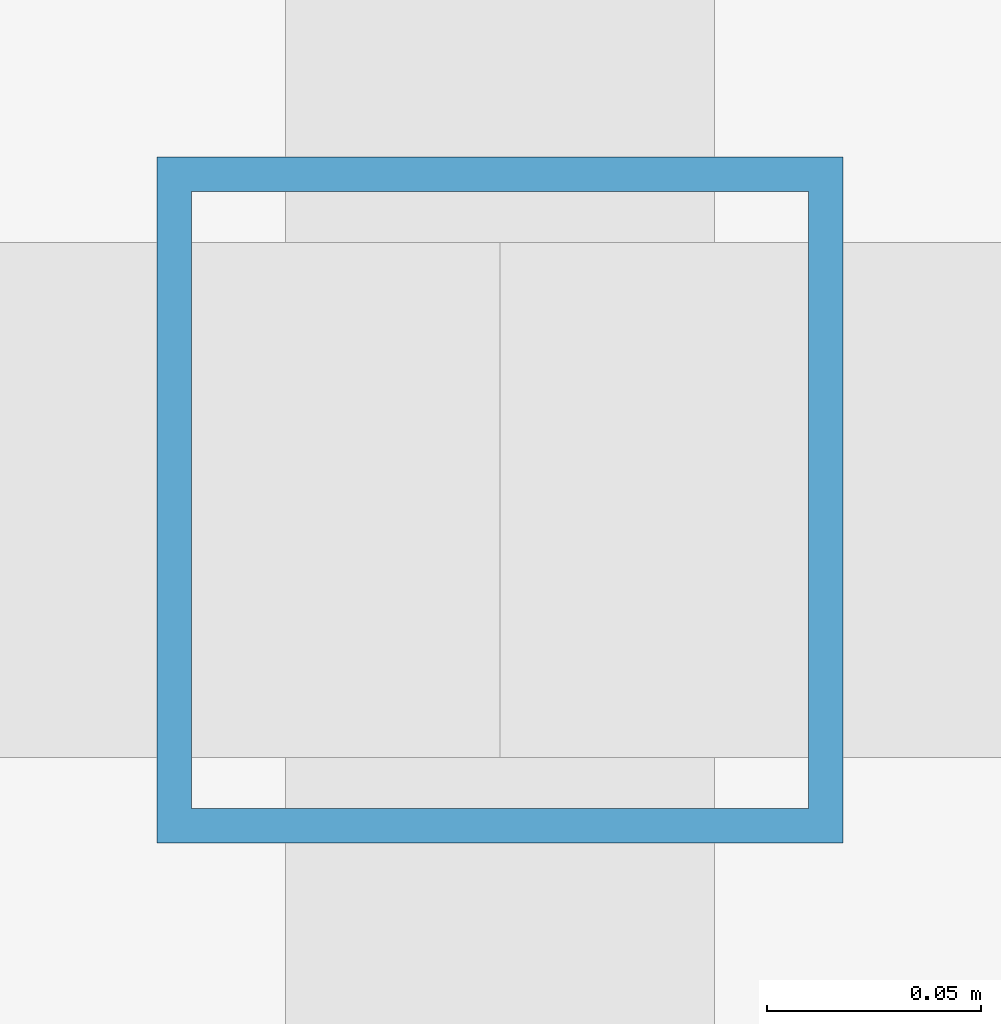
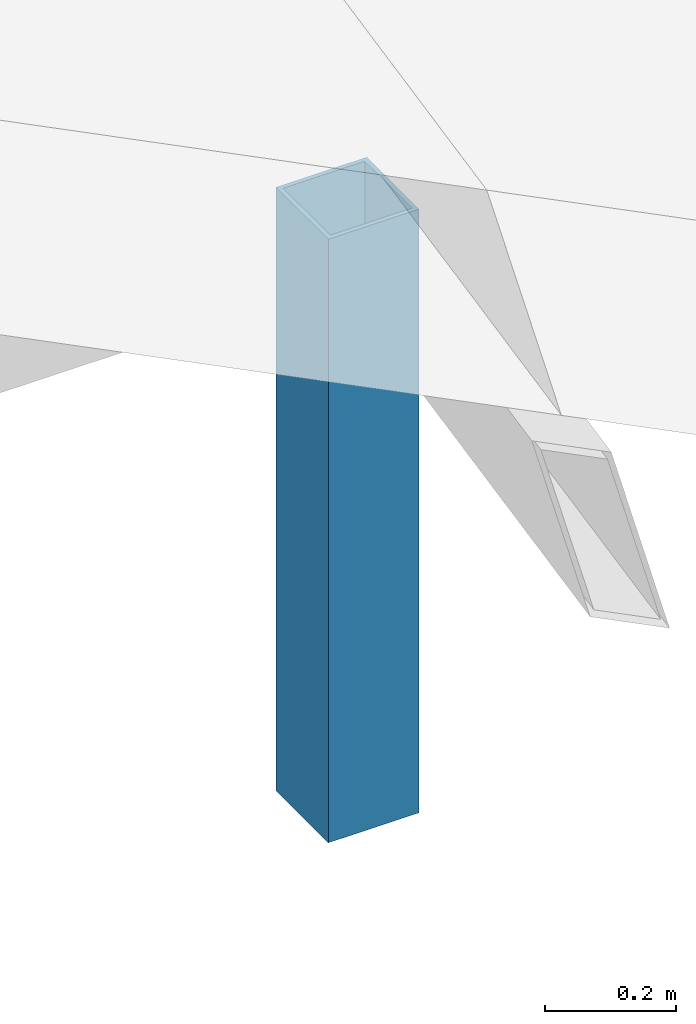
# One storey, part 5 of 93: 1 column.
"""IFC4 building model written with IfcOpenShell, lengths in metres."""

from ifc_helpers import new_model, si_unit, direction, frame, origin, origin_2d, place, context, subcontext, project, spatial, hollow_rectangle, extrude, material, material_profile, profile_set, type_object, element, save


model = new_model("IFC4")

# Units and contexts
model_context = context("Model", 3, precision=1e-05, world=origin(), true_north=direction((0.0, 1.0)))
body_context = subcontext(model_context, "Body", "Model", "MODEL_VIEW")
ifc_project = project(units=[si_unit("LENGTHUNIT", "METRE"), si_unit("AREAUNIT", "SQUARE_METRE"), si_unit("VOLUMEUNIT", "CUBIC_METRE"), si_unit("PLANEANGLEUNIT", "RADIAN"), si_unit("MASSUNIT", "GRAM", prefix="KILO")], contexts=[model_context])

# Site, building, storey
site_placement = place(None, origin())
site = spatial("IfcSite", under=ifc_project, at=site_placement, CompositionType="ELEMENT")
building_placement = place(site_placement, origin())
building = spatial("IfcBuilding", under=site, at=building_placement, Name="Vourika Railside Aquatics Centre", CompositionType="ELEMENT")
storey_placement = place(building_placement, frame((0.0, 0.0, 21.89990234375)))
storey = spatial("IfcBuildingStorey", under=building, at=storey_placement, Name="Roof", CompositionType="ELEMENT", Elevation=21.89990234375)

# Column
ifc_material = material(Name="Steel S355J2", Category="steel")
ifc_material_profile = material_profile(ifc_material, hollow_rectangle(XDim=0.159912109375, YDim=0.159912109375, WallThickness=0.008056640625, at=origin_2d()), Name="SHS 160x160x8")
ifc_profile_set = profile_set([ifc_material_profile], Name="Steel S355J2")
column_type = type_object("IfcColumnType", Name="COL-STL-SHS160", PredefinedType="COLUMN", material=ifc_profile_set)
column_placement = place(storey_placement, frame((126.0, 6.0, -12.599853515625), z_axis=(0.0, 0.0, 1.0), x_axis=(1.0, 0.0, 0.0)))
element("IfcColumn", 1, at=column_placement, inside=storey, type_object=column_type, Name="Changing Roof Mid-Span Post (126.0,6.0)", PredefinedType="COLUMN", context=body_context, shape_type="SweptSolid", body=[
    extrude(hollow_rectangle(XDim=0.159912109375, YDim=0.159912109375, WallThickness=0.008056640625, at=origin_2d()), origin(), (0.0, 0.0, 1.0), 1.125),
])

save(model, "model.ifc")
